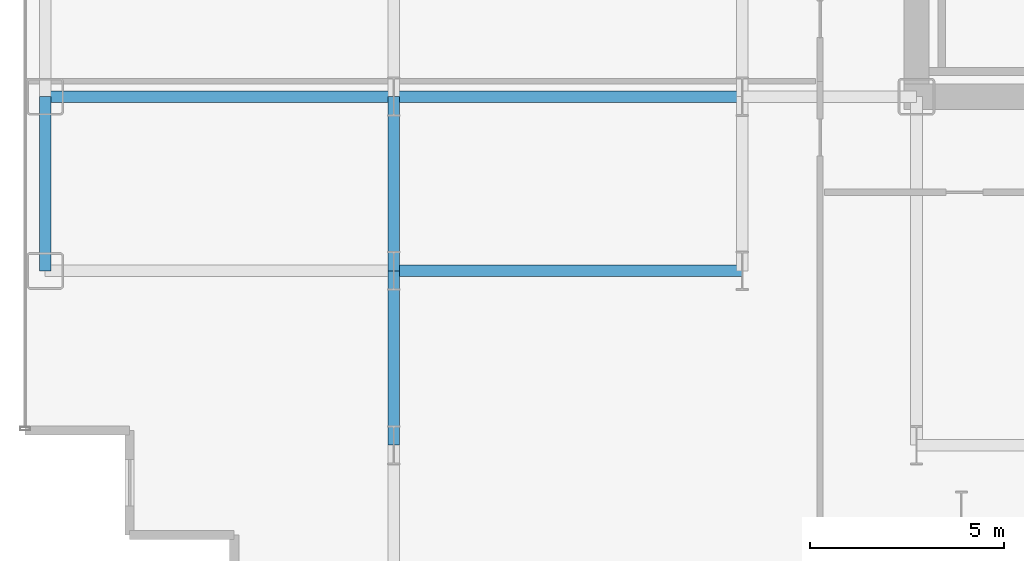
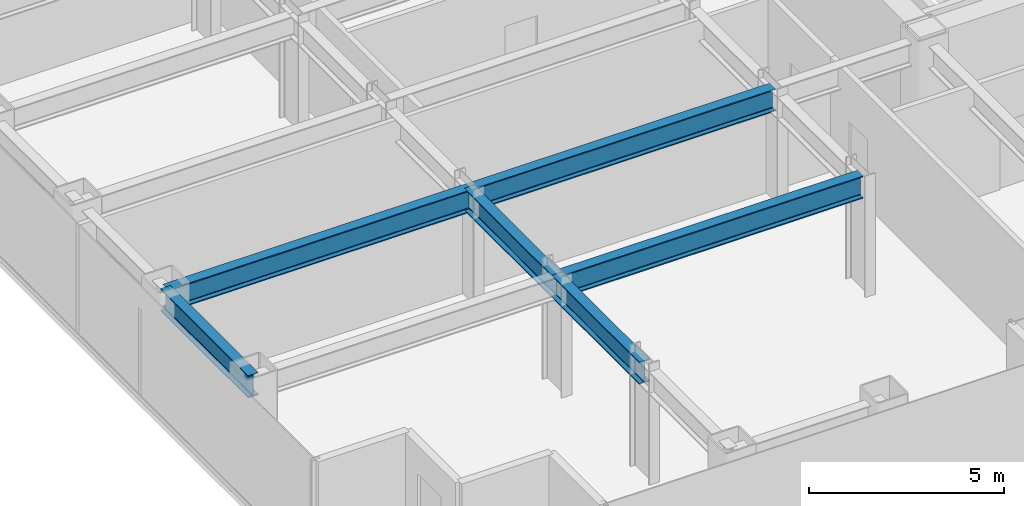
# One storey, part 3 of 25: 6 beams.
"""IFC4 building model written with IfcOpenShell, lengths in metres."""

from ifc_helpers import new_model, si_unit, direction, frame, origin, origin_2d, place, context, subcontext, project, spatial, i_section, extrude, source, transform, mapped, material, material_profile, profile_set, type_object, element, save


model = new_model("IFC4")

# Units and contexts
model_context = context("Model", 3, precision=1e-05, world=origin(), true_north=direction((0.0, 1.0)))
body_context = subcontext(model_context, "Body", "Model", "MODEL_VIEW")
ifc_project = project(units=[si_unit("LENGTHUNIT", "METRE"), si_unit("AREAUNIT", "SQUARE_METRE"), si_unit("VOLUMEUNIT", "CUBIC_METRE"), si_unit("PLANEANGLEUNIT", "RADIAN"), si_unit("MASSUNIT", "GRAM", prefix="KILO")], contexts=[model_context])

# Site, building, storey
site_placement = place(None, origin())
site = spatial("IfcSite", under=ifc_project, at=site_placement, CompositionType="ELEMENT")
building_placement = place(site_placement, origin())
building = spatial("IfcBuilding", under=site, at=building_placement, Name="Nefas-Gora Pilgrimage Tower", CompositionType="ELEMENT")
storey_placement = place(building_placement, frame((0.0, 0.0, 74.800048828125)))
storey = spatial("IfcBuildingStorey", under=building, at=storey_placement, Name="L17", CompositionType="ELEMENT", Elevation=74.800048828125)

# Beams
ifc_material = material(Name="Steel S355", Category="steel")
ifc_material_profile_1 = material_profile(ifc_material, i_section(OverallWidth=0.300048828125, OverallDepth=0.699951171875, WebThickness=0.01708984375, FlangeThickness=0.031982421875, FilletRadius=0.027099609375, at=origin_2d()), Name="HEB 700")
ifc_profile_set_1 = profile_set([ifc_material_profile_1], Name="Steel S355")
beam_type_1 = type_object("IfcBeamType", Name="BM-SPN-HEB600", PredefinedType="SPANDREL", material=ifc_profile_set_1)
shared_shape_1 = source(origin(), body_context, "Body", "SweptSolid", [
    extrude(i_section(OverallWidth=0.300048828125, OverallDepth=0.699951171875, WebThickness=0.01708984375, FlangeThickness=0.031982421875, FilletRadius=0.027099609375, at=origin_2d()), origin(), (0.0, 0.0, 1.0), 4.5),
])
beam_placement = place(storey_placement, frame((-33.75, -13.5, 3.199951171875), z_axis=(0.0, 1.0, 0.0), x_axis=(-1.0, 0.0, 0.0)))
element("IfcBeam", 1, at=beam_placement, inside=storey, type_object=beam_type_1, Name="L17 SP-01 beam", PredefinedType="SPANDREL", context=body_context, shape_type="MappedRepresentation", body=[
    mapped(shared_shape_1, transform((0.0, 0.0, 0.0), x_axis=(1.0, 0.0, 0.0), y_axis=(0.0, 1.0, 0.0), z_axis=(0.0, 0.0, 1.0), scale=1.0)),
])
ifc_material_profile_2 = material_profile(ifc_material, i_section(OverallWidth=0.300048828125, OverallDepth=0.699951171875, WebThickness=0.01708984375, FlangeThickness=0.031982421875, FilletRadius=0.027099609375, at=origin_2d()), Name="HEB 700")
ifc_profile_set_2 = profile_set([ifc_material_profile_2], Name="Steel S355")
beam_type_2 = type_object("IfcBeamType", Name="BM-GIR-HEB700", PredefinedType="BEAM", material=ifc_profile_set_2)
shared_shape_2 = source(origin(), body_context, "Body", "SweptSolid", [
    extrude(i_section(OverallWidth=0.300048828125, OverallDepth=0.699951171875, WebThickness=0.01708984375, FlangeThickness=0.031982421875, FilletRadius=0.027099609375, at=origin_2d()), origin(), (0.0, 0.0, 1.0), 9.0),
])
for number, where, z_axis, x_axis, name in (
    (2, (-33.75, -9.0, 3.199951171875), (1.0, 0.0, 0.0), (0.0, 1.0, 0.0), "L17 G-02 beam"),
    (3, (-24.75, -13.5, 3.199951171875), (1.0, 0.0, 0.0), (0.0, 1.0, 0.0), "L17 G-02 beam"),
    (4, (-24.75, -9.0, 3.199951171875), (1.0, 0.0, 0.0), (0.0, 1.0, 0.0), "L17 G-02 beam"),
):
    element("IfcBeam", number, at=place(storey_placement, frame(where, z_axis=z_axis, x_axis=x_axis)), inside=storey, type_object=beam_type_2, Name=name, PredefinedType="BEAM", context=body_context, shape_type="MappedRepresentation", body=[
        mapped(shared_shape_2, transform((0.0, 0.0, 0.0), x_axis=(1.0, 0.0, 0.0), y_axis=(0.0, 1.0, 0.0), z_axis=(0.0, 0.0, 1.0), scale=1.0)),
    ])
shared_shape_3 = source(origin(), body_context, "Body", "SweptSolid", [
    extrude(i_section(OverallWidth=0.300048828125, OverallDepth=0.699951171875, WebThickness=0.01708984375, FlangeThickness=0.031982421875, FilletRadius=0.027099609375, at=origin_2d()), origin(), (0.0, 0.0, 1.0), 4.5),
])
for number, where, z_axis, x_axis, name in (
    (5, (-24.75, -18.0, 3.199951171875), (0.0, 1.0, 0.0), (-1.0, 0.0, 0.0), "L17 G-02 beam"),
    (6, (-24.75, -13.5, 3.199951171875), (0.0, 1.0, 0.0), (-1.0, 0.0, 0.0), "L17 G-02 beam"),
):
    element("IfcBeam", number, at=place(storey_placement, frame(where, z_axis=z_axis, x_axis=x_axis)), inside=storey, type_object=beam_type_2, Name=name, PredefinedType="BEAM", context=body_context, shape_type="MappedRepresentation", body=[
        mapped(shared_shape_3, transform((0.0, 0.0, 0.0), x_axis=(1.0, 0.0, 0.0), y_axis=(0.0, 1.0, 0.0), z_axis=(0.0, 0.0, 1.0), scale=1.0)),
    ])

save(model, "model.ifc")
